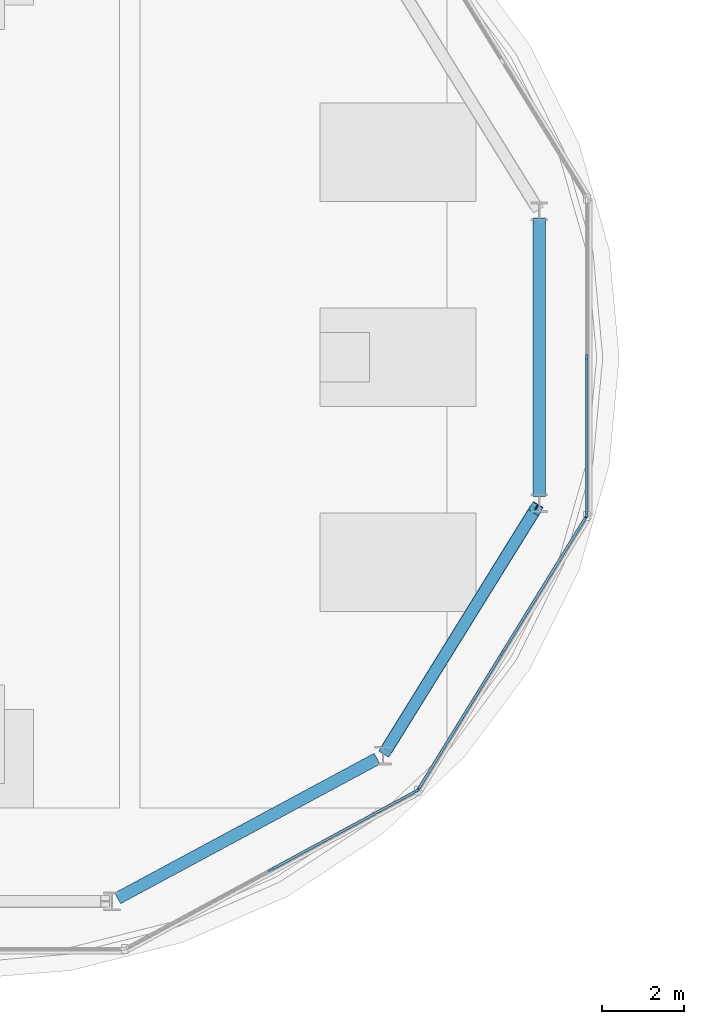
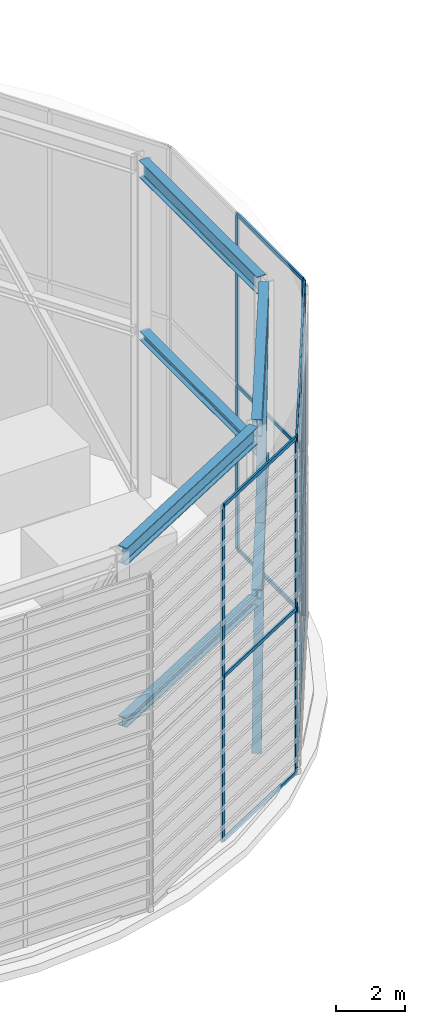
# One storey, part 4 of 17: 20 members, 6 beams, 3 elements without a shape of their own.
"""IFC4 building model written with IfcOpenShell, lengths in metres."""

from ifc_helpers import new_model, si_unit, direction, frame, origin, origin_2d, place, context, subcontext, project, spatial, rectangle, i_section, extrude, source, transform, mapped, material, layer, layer_set, material_profile, profile_set, type_object, type_shapes, element, aggregate, save


model = new_model("IFC4")

# Units and contexts
model_context = context("Model", 3, precision=1e-05, world=origin(), true_north=direction((0.0, 1.0)))
body_context = subcontext(model_context, "Body", "Model", "MODEL_VIEW")
ifc_project = project(units=[si_unit("LENGTHUNIT", "METRE"), si_unit("AREAUNIT", "SQUARE_METRE"), si_unit("VOLUMEUNIT", "CUBIC_METRE"), si_unit("PLANEANGLEUNIT", "RADIAN"), si_unit("MASSUNIT", "GRAM", prefix="KILO")], contexts=[model_context])

# Site, building, storey
site_placement = place(None, origin())
site = spatial("IfcSite", under=ifc_project, at=site_placement, CompositionType="ELEMENT")
building_placement = place(site_placement, origin())
building = spatial("IfcBuilding", under=site, at=building_placement, Name="Norrkilde Senior Care Towers", CompositionType="ELEMENT")
storey_placement = place(building_placement, frame((0.0, 0.0, 249.85009765625)))
storey = spatial("IfcBuildingStorey", under=building, at=storey_placement, Name="RF", CompositionType="ELEMENT", Elevation=249.85009765625)

# Beams
ifc_material_1 = material(Name="Steel S355", Category="steel")
ifc_material_profile_1 = material_profile(ifc_material_1, i_section(OverallWidth=0.300048828125, OverallDepth=0.60009765625, WebThickness=0.015380859375, FlangeThickness=0.030029296875, FilletRadius=0.027099609375, at=origin_2d()), Name="HEB 600")
ifc_profile_set_1 = profile_set([ifc_material_profile_1], Name="Steel S355")
beam_type_1 = type_object("IfcBeamType", Name="Crown Ring Top Girder CROWN FRAME", PredefinedType="USERDEFINED", material=ifc_profile_set_1)
shared_shape_1 = source(origin(), body_context, "Body", "SweptSolid", [
    extrude(i_section(OverallWidth=0.300048828125, OverallDepth=0.60009765625, WebThickness=0.015380859375, FlangeThickness=0.030029296875, FilletRadius=0.027099609375, at=origin_2d()), origin(), (0.0, 0.0, 1.0), 6.93017578125),
])
beam_1_placement = place(storey_placement, frame((-17.48583984375, -9.586669921875, 11.809814453125), z_axis=(0.526520754643, 0.850162275645, 0.0), x_axis=(-0.850162275645, 0.526520754643, 0.0)))
element("IfcBeam", 1, at=beam_1_placement, inside=storey, type_object=beam_type_1, Name="RF Drum W Crown Ring Top Girder 11 CROWN FRAME", ObjectType="GIRDER", PredefinedType="USERDEFINED", context=body_context, shape_type="MappedRepresentation", body=[
    mapped(shared_shape_1, transform((0.0, 0.0, 0.0), x_axis=(1.0, 0.0, 0.0), y_axis=(0.0, 1.0, 0.0), z_axis=(0.0, 0.0, 1.0), scale=1.0)),
])
ifc_material_profile_2 = material_profile(ifc_material_1, i_section(OverallWidth=0.300048828125, OverallDepth=0.320068359375, WebThickness=0.011474609375, FlangeThickness=0.0205078125, FilletRadius=0.027099609375, at=origin_2d()), Name="HEB 320")
ifc_profile_set_2 = profile_set([ifc_material_profile_2], Name="Steel S355")
beam_type_2 = type_object("IfcBeamType", Name="Crown Ring Mid Spandrel CROWN FRAME", PredefinedType="SPANDREL", material=ifc_profile_set_2)
shared_shape_2 = source(origin(), body_context, "Body", "SweptSolid", [
    extrude(i_section(OverallWidth=0.300048828125, OverallDepth=0.320068359375, WebThickness=0.011474609375, FlangeThickness=0.0205078125, FilletRadius=0.027099609375, at=origin_2d()), origin(), (0.0, 0.0, 1.0), 6.93017578125),
])
beam_2_placement = place(storey_placement, frame((-17.48583984375, -9.586669921875, 5.949951171875), z_axis=(0.526520754643, 0.850162275645, 0.0), x_axis=(-0.850162275645, 0.526520754643, 0.0)))
element("IfcBeam", 2, at=beam_2_placement, inside=storey, type_object=beam_type_2, Name="RF Drum W Crown Ring Mid Spandrel 11 CROWN FRAME", PredefinedType="SPANDREL", context=body_context, shape_type="MappedRepresentation", body=[
    mapped(shared_shape_2, transform((0.0, 0.0, 0.0), x_axis=(1.0, 0.0, 0.0), y_axis=(0.0, 1.0, 0.0), z_axis=(0.0, 0.0, 1.0), scale=1.0)),
])

# Member
ifc_material_profile_3 = material_profile(ifc_material_1, i_section(OverallWidth=0.280029296875, OverallDepth=0.280029296875, WebThickness=0.010498046875, FlangeThickness=0.01806640625, FilletRadius=0.02392578125, at=origin_2d()), Name="HEB 280")
ifc_profile_set_3 = profile_set([ifc_material_profile_3], Name="Steel S355")
member_type_1 = type_object("IfcMemberType", Name="Crown Frame Brace CROWN FRAME", PredefinedType="BRACE", material=ifc_profile_set_3)
shared_shape_3 = source(origin(), body_context, "Body", "SweptSolid", [
    extrude(i_section(OverallWidth=0.280029296875, OverallDepth=0.280029296875, WebThickness=0.010498046875, FlangeThickness=0.01806640625, FilletRadius=0.02392578125, at=origin_2d()), origin(), (0.0, 0.0, 1.0), 13.264404296875),
])
type_shapes(member_type_1, [shared_shape_3])
member_1_placement = place(storey_placement, frame((-17.48583984375, -9.586669921875, 0.349853515625), z_axis=(0.275090388538, 0.444182814571, 0.852658727378), x_axis=(-0.850162275645, 0.526520754643, 0.0)))
element("IfcMember", 3, at=member_1_placement, inside=storey, type_object=member_type_1, Name="RF Drum W Crown Ring Brace 11 CROWN FRAME", PredefinedType="BRACE", context=body_context, shape_type="MappedRepresentation", body=[
    mapped(shared_shape_3, transform((0.0, 0.0, 0.0), x_axis=(1.0, 0.0, 0.0), y_axis=(0.0, 1.0, 0.0), z_axis=(0.0, 0.0, 1.0), scale=1.0)),
])

# Beams
shared_shape_4 = source(origin(), body_context, "Body", "SweptSolid", [
    extrude(i_section(OverallWidth=0.300048828125, OverallDepth=0.60009765625, WebThickness=0.015380859375, FlangeThickness=0.030029296875, FilletRadius=0.027099609375, at=origin_2d()), origin(), (0.0, 0.0, 1.0), 7.18896484375),
])
beam_3_placement = place(storey_placement, frame((-24.04150390625, -13.20556640625, 11.809814453125), z_axis=(0.880567044237, 0.473921597529, 0.0), x_axis=(-0.473921597529, 0.880567044237, 0.0)))
element("IfcBeam", 4, at=beam_3_placement, inside=storey, type_object=beam_type_1, Name="RF Drum W Crown Ring Top Girder 10 CROWN FRAME", ObjectType="GIRDER", PredefinedType="USERDEFINED", context=body_context, shape_type="MappedRepresentation", body=[
    mapped(shared_shape_4, transform((0.0, 0.0, 0.0), x_axis=(1.0, 0.0, 0.0), y_axis=(0.0, 1.0, 0.0), z_axis=(0.0, 0.0, 1.0), scale=1.0)),
])
shared_shape_5 = source(origin(), body_context, "Body", "SweptSolid", [
    extrude(i_section(OverallWidth=0.300048828125, OverallDepth=0.320068359375, WebThickness=0.011474609375, FlangeThickness=0.0205078125, FilletRadius=0.027099609375, at=origin_2d()), origin(), (0.0, 0.0, 1.0), 7.18896484375),
])
beam_4_placement = place(storey_placement, frame((-24.04150390625, -13.20556640625, 5.949951171875), z_axis=(0.880567044237, 0.473921597529, 0.0), x_axis=(-0.473921597529, 0.880567044237, 0.0)))
element("IfcBeam", 5, at=beam_4_placement, inside=storey, type_object=beam_type_2, Name="RF Drum W Crown Ring Mid Spandrel 10 CROWN FRAME", PredefinedType="SPANDREL", context=body_context, shape_type="MappedRepresentation", body=[
    mapped(shared_shape_5, transform((0.0, 0.0, 0.0), x_axis=(1.0, 0.0, 0.0), y_axis=(0.0, 1.0, 0.0), z_axis=(0.0, 0.0, 1.0), scale=1.0)),
])
shared_shape_6 = source(origin(), body_context, "Body", "SweptSolid", [
    extrude(i_section(OverallWidth=0.300048828125, OverallDepth=0.60009765625, WebThickness=0.015380859375, FlangeThickness=0.030029296875, FilletRadius=0.027099609375, at=origin_2d()), origin(), (0.0, 0.0, 1.0), 6.79736328125),
])
type_shapes(beam_type_1, [shared_shape_1, shared_shape_4, shared_shape_6])
beam_5_placement = place(storey_placement, frame((-13.752685546875, -3.398681640625, 11.809814453125), z_axis=(0.0, 1.0, 0.0), x_axis=(-1.0, 0.0, 0.0)))
element("IfcBeam", 6, at=beam_5_placement, inside=storey, type_object=beam_type_1, Name="RF Drum W Crown Ring Top Girder 12 CROWN FRAME", ObjectType="GIRDER", PredefinedType="USERDEFINED", context=body_context, shape_type="MappedRepresentation", body=[
    mapped(shared_shape_6, transform((0.0, 0.0, 0.0), x_axis=(1.0, 0.0, 0.0), y_axis=(0.0, 1.0, 0.0), z_axis=(0.0, 0.0, 1.0), scale=1.0)),
])
shared_shape_7 = source(origin(), body_context, "Body", "SweptSolid", [
    extrude(i_section(OverallWidth=0.300048828125, OverallDepth=0.320068359375, WebThickness=0.011474609375, FlangeThickness=0.0205078125, FilletRadius=0.027099609375, at=origin_2d()), origin(), (0.0, 0.0, 1.0), 6.79736328125),
])
type_shapes(beam_type_2, [shared_shape_2, shared_shape_5, shared_shape_7])
beam_6_placement = place(storey_placement, frame((-13.752685546875, -3.398681640625, 5.949951171875), z_axis=(0.0, 1.0, 0.0), x_axis=(-1.0, 0.0, 0.0)))
element("IfcBeam", 7, at=beam_6_placement, inside=storey, type_object=beam_type_2, Name="RF Drum W Crown Ring Mid Spandrel 12 CROWN FRAME", PredefinedType="SPANDREL", context=body_context, shape_type="MappedRepresentation", body=[
    mapped(shared_shape_7, transform((0.0, 0.0, 0.0), x_axis=(1.0, 0.0, 0.0), y_axis=(0.0, 1.0, 0.0), z_axis=(0.0, 0.0, 1.0), scale=1.0)),
])

# Curtain wall, members
ifc_material_2 = material(Name="Triple Low-E Insulated Glazing", Category="glass")
ifc_layer = layer(ifc_material_2, 0.205078125)
ifc_layer_set = layer_set([ifc_layer], Name="Triple Low-E Insulated Glazing")
curtain_wall_type = type_object("IfcCurtainWallType", Name="CW7 L76 Damper Lantern Clear Curtain Wall", PredefinedType="NOTDEFINED", material=ifc_layer_set)
curtain_wall_1_placement = place(storey_placement, origin())
curtain_wall_1 = element("IfcCurtainWall", 8, at=curtain_wall_1_placement, inside=storey, type_object=curtain_wall_type, Name="RF Ring Crown W Screen Wall 09", PredefinedType="NOTDEFINED")
ifc_material_3 = material(Name="Anodised Aluminium", Category="aluminium")
ifc_material_profile_4 = material_profile(ifc_material_3, rectangle(XDim=0.06005859375, YDim=0.139892578125, at=origin_2d()), Name="ALU MULL 60x140")
ifc_profile_set_4 = profile_set([ifc_material_profile_4], Name="Anodised Aluminium")
member_type_2 = type_object("IfcMemberType", Name="Curtain Wall Mullion Lantern 60x140", PredefinedType="MULLION", material=ifc_profile_set_4)
shared_shape_8 = source(origin(), body_context, "Body", "SweptSolid", [
    extrude(rectangle(XDim=0.06005859375, YDim=0.139892578125, at=origin_2d()), origin(), (0.0, 0.0, 1.0), 11.849853515625),
])
type_shapes(member_type_2, [shared_shape_8])
member_2_placement = place(storey_placement, frame((-16.748046875, -10.58544921875, 0.0), z_axis=(0.0, 0.0, 1.0), x_axis=(0.475933713829, -0.879481153886, 0.0)))
member_2 = element("IfcMember", 9, at=member_2_placement, type_object=member_type_2, Name="CW-7 mullion 1", PredefinedType="MULLION", context=body_context, shape_type="MappedRepresentation", body=[
    mapped(shared_shape_8, transform((0.0, 0.0, 0.0), x_axis=(1.0, 0.0, 0.0), y_axis=(0.0, 1.0, 0.0), z_axis=(0.0, 0.0, 1.0), scale=1.0)),
])
member_3_placement = place(storey_placement, frame((-20.296630859375, -12.505859375, 0.0), z_axis=(0.0, 0.0, 1.0), x_axis=(0.475933713829, -0.879481153886, 0.0)))
member_3 = element("IfcMember", 10, at=member_3_placement, type_object=member_type_2, Name="CW-7 mullion 2", PredefinedType="MULLION", context=body_context, shape_type="MappedRepresentation", body=[
    mapped(shared_shape_8, transform((0.0, 0.0, 0.0), x_axis=(1.0, 0.0, 0.0), y_axis=(0.0, 1.0, 0.0), z_axis=(0.0, 0.0, 1.0), scale=1.0)),
])

curtain_wall_2_placement = place(storey_placement, origin())
curtain_wall_2 = element("IfcCurtainWall", 11, at=curtain_wall_2_placement, inside=storey, type_object=curtain_wall_type, Name="RF Ring Crown W Screen Wall 10", PredefinedType="NOTDEFINED")
member_4_placement = place(storey_placement, frame((-12.609130859375, -3.894775390625, 0.0), z_axis=(0.0, 0.0, 1.0), x_axis=(0.85143610846, -0.524458342684, 0.0)))
member_4 = element("IfcMember", 12, at=member_4_placement, type_object=member_type_2, Name="CW-7 mullion 1", PredefinedType="MULLION", context=body_context, shape_type="MappedRepresentation", body=[
    mapped(shared_shape_8, transform((0.0, 0.0, 0.0), x_axis=(1.0, 0.0, 0.0), y_axis=(0.0, 1.0, 0.0), z_axis=(0.0, 0.0, 1.0), scale=1.0)),
])
member_5_placement = place(storey_placement, frame((-14.657470703125, -7.22021484375, 0.0), z_axis=(0.0, 0.0, 1.0), x_axis=(0.85143610846, -0.524458342684, 0.0)))
member_5 = element("IfcMember", 13, at=member_5_placement, type_object=member_type_2, Name="CW-7 mullion 2", PredefinedType="MULLION", context=body_context, shape_type="MappedRepresentation", body=[
    mapped(shared_shape_8, transform((0.0, 0.0, 0.0), x_axis=(1.0, 0.0, 0.0), y_axis=(0.0, 1.0, 0.0), z_axis=(0.0, 0.0, 1.0), scale=1.0)),
])
member_6_placement = place(storey_placement, frame((-16.705810546875, -10.545654296875, 0.0), z_axis=(0.0, 0.0, 1.0), x_axis=(0.85143610846, -0.524458342684, 0.0)))
member_6 = element("IfcMember", 14, at=member_6_placement, type_object=member_type_2, Name="CW-7 mullion 3", PredefinedType="MULLION", context=body_context, shape_type="MappedRepresentation", body=[
    mapped(shared_shape_8, transform((0.0, 0.0, 0.0), x_axis=(1.0, 0.0, 0.0), y_axis=(0.0, 1.0, 0.0), z_axis=(0.0, 0.0, 1.0), scale=1.0)),
])

curtain_wall_3_placement = place(storey_placement, origin())
curtain_wall_3 = element("IfcCurtainWall", 15, at=curtain_wall_3_placement, inside=storey, type_object=curtain_wall_type, Name="RF Ring Crown W Screen Wall 11", PredefinedType="NOTDEFINED")
member_7_placement = place(storey_placement, frame((-12.593505859375, 0.0, 0.0), z_axis=(0.0, 0.0, 1.0), x_axis=(1.0, 0.0, 0.0)))
member_7 = element("IfcMember", 16, at=member_7_placement, type_object=member_type_2, Name="CW-7 mullion 2", PredefinedType="MULLION", context=body_context, shape_type="MappedRepresentation", body=[
    mapped(shared_shape_8, transform((0.0, 0.0, 0.0), x_axis=(1.0, 0.0, 0.0), y_axis=(0.0, 1.0, 0.0), z_axis=(0.0, 0.0, 1.0), scale=1.0)),
])
member_8_placement = place(storey_placement, frame((-12.593505859375, -3.83935546875, 0.0), z_axis=(0.0, 0.0, 1.0), x_axis=(1.0, 0.0, 0.0)))
member_8 = element("IfcMember", 17, at=member_8_placement, type_object=member_type_2, Name="CW-7 mullion 3", PredefinedType="MULLION", context=body_context, shape_type="MappedRepresentation", body=[
    mapped(shared_shape_8, transform((0.0, 0.0, 0.0), x_axis=(1.0, 0.0, 0.0), y_axis=(0.0, 1.0, 0.0), z_axis=(0.0, 0.0, 1.0), scale=1.0)),
])

# Member
ifc_material_profile_5 = material_profile(ifc_material_3, rectangle(XDim=0.06494140625, YDim=0.1298828125, at=origin_2d()), Name="ALU TRAN 65x130")
ifc_profile_set_5 = profile_set([ifc_material_profile_5], Name="Anodised Aluminium")
member_type_3 = type_object("IfcMemberType", Name="Curtain Wall Transom Heavy 65x130", PredefinedType="USERDEFINED", material=ifc_profile_set_5)
shared_shape_9 = source(origin(), body_context, "Body", "SweptSolid", [
    extrude(rectangle(XDim=0.06494140625, YDim=0.1298828125, at=origin_2d()), origin(), (0.0, 0.0, 1.0), 3.845703125),
])
member_9_placement = place(storey_placement, frame((-12.625, -3.92041015625, 0.032470703125), z_axis=(-0.524440959275, -0.851446815858, 0.0), x_axis=(0.851446815858, -0.524440959275, 0.0)))
member_9 = element("IfcMember", 18, at=member_9_placement, type_object=member_type_3, Name="CW-7 transom 1.1", ObjectType="TRANSOM", PredefinedType="USERDEFINED", context=body_context, shape_type="MappedRepresentation", body=[
    mapped(shared_shape_9, transform((0.0, 0.0, 0.0), x_axis=(1.0, 0.0, 0.0), y_axis=(0.0, 1.0, 0.0), z_axis=(0.0, 0.0, 1.0), scale=1.0)),
])

member_10_placement = place(storey_placement, frame((-12.625, -3.92041015625, 5.7998046875), z_axis=(-0.524440959275, -0.851446815858, 0.0), x_axis=(0.851446815858, -0.524440959275, 0.0)))
member_10 = element("IfcMember", 19, at=member_10_placement, type_object=member_type_3, Name="CW-7 transom 1.2", ObjectType="TRANSOM", PredefinedType="USERDEFINED", context=body_context, shape_type="MappedRepresentation", body=[
    mapped(shared_shape_9, transform((0.0, 0.0, 0.0), x_axis=(1.0, 0.0, 0.0), y_axis=(0.0, 1.0, 0.0), z_axis=(0.0, 0.0, 1.0), scale=1.0)),
])

member_11_placement = place(storey_placement, frame((-12.625, -3.92041015625, 11.8173828125), z_axis=(-0.524440959275, -0.851446815858, 0.0), x_axis=(0.851446815858, -0.524440959275, 0.0)))
member_11 = element("IfcMember", 20, at=member_11_placement, type_object=member_type_3, Name="CW-7 transom 1.3", ObjectType="TRANSOM", PredefinedType="USERDEFINED", context=body_context, shape_type="MappedRepresentation", body=[
    mapped(shared_shape_9, transform((0.0, 0.0, 0.0), x_axis=(1.0, 0.0, 0.0), y_axis=(0.0, 1.0, 0.0), z_axis=(0.0, 0.0, 1.0), scale=1.0)),
])

member_12_placement = place(storey_placement, frame((-14.67333984375, -7.245849609375, 0.032470703125), z_axis=(-0.524440959275, -0.851446815858, 0.0), x_axis=(0.851446815858, -0.524440959275, 0.0)))
member_12 = element("IfcMember", 21, at=member_12_placement, type_object=member_type_3, Name="CW-7 transom 2.1", ObjectType="TRANSOM", PredefinedType="USERDEFINED", context=body_context, shape_type="MappedRepresentation", body=[
    mapped(shared_shape_9, transform((0.0, 0.0, 0.0), x_axis=(1.0, 0.0, 0.0), y_axis=(0.0, 1.0, 0.0), z_axis=(0.0, 0.0, 1.0), scale=1.0)),
])

member_13_placement = place(storey_placement, frame((-14.67333984375, -7.245849609375, 5.7998046875), z_axis=(-0.524440959275, -0.851446815858, 0.0), x_axis=(0.851446815858, -0.524440959275, 0.0)))
member_13 = element("IfcMember", 22, at=member_13_placement, type_object=member_type_3, Name="CW-7 transom 2.2", ObjectType="TRANSOM", PredefinedType="USERDEFINED", context=body_context, shape_type="MappedRepresentation", body=[
    mapped(shared_shape_9, transform((0.0, 0.0, 0.0), x_axis=(1.0, 0.0, 0.0), y_axis=(0.0, 1.0, 0.0), z_axis=(0.0, 0.0, 1.0), scale=1.0)),
])

member_14_placement = place(storey_placement, frame((-14.67333984375, -7.245849609375, 11.8173828125), z_axis=(-0.524440959275, -0.851446815858, 0.0), x_axis=(0.851446815858, -0.524440959275, 0.0)))
member_14 = element("IfcMember", 23, at=member_14_placement, type_object=member_type_3, Name="CW-7 transom 2.3", ObjectType="TRANSOM", PredefinedType="USERDEFINED", context=body_context, shape_type="MappedRepresentation", body=[
    mapped(shared_shape_9, transform((0.0, 0.0, 0.0), x_axis=(1.0, 0.0, 0.0), y_axis=(0.0, 1.0, 0.0), z_axis=(0.0, 0.0, 1.0), scale=1.0)),
])

aggregate(curtain_wall_2, [member_4, member_5, member_6, member_9, member_10, member_11, member_12, member_13, member_14])

shared_shape_10 = source(origin(), body_context, "Body", "SweptSolid", [
    extrude(rectangle(XDim=0.06494140625, YDim=0.1298828125, at=origin_2d()), origin(), (0.0, 0.0, 1.0), 3.974853515625),
])
member_15_placement = place(storey_placement, frame((-16.7744140625, -10.599853515625, 0.032470703125), z_axis=(-0.879475172581, -0.475944766557, 0.0), x_axis=(0.475944766557, -0.879475172581, 0.0)))
member_15 = element("IfcMember", 24, at=member_15_placement, type_object=member_type_3, Name="CW-7 transom 1.1", ObjectType="TRANSOM", PredefinedType="USERDEFINED", context=body_context, shape_type="MappedRepresentation", body=[
    mapped(shared_shape_10, transform((0.0, 0.0, 0.0), x_axis=(1.0, 0.0, 0.0), y_axis=(0.0, 1.0, 0.0), z_axis=(0.0, 0.0, 1.0), scale=1.0)),
])

member_16_placement = place(storey_placement, frame((-16.7744140625, -10.599853515625, 5.7998046875), z_axis=(-0.879475172581, -0.475944766557, 0.0), x_axis=(0.475944766557, -0.879475172581, 0.0)))
member_16 = element("IfcMember", 25, at=member_16_placement, type_object=member_type_3, Name="CW-7 transom 1.2", ObjectType="TRANSOM", PredefinedType="USERDEFINED", context=body_context, shape_type="MappedRepresentation", body=[
    mapped(shared_shape_10, transform((0.0, 0.0, 0.0), x_axis=(1.0, 0.0, 0.0), y_axis=(0.0, 1.0, 0.0), z_axis=(0.0, 0.0, 1.0), scale=1.0)),
])

member_17_placement = place(storey_placement, frame((-16.7744140625, -10.599853515625, 11.8173828125), z_axis=(-0.879475172581, -0.475944766557, 0.0), x_axis=(0.475944766557, -0.879475172581, 0.0)))
member_17 = element("IfcMember", 26, at=member_17_placement, type_object=member_type_3, Name="CW-7 transom 1.3", ObjectType="TRANSOM", PredefinedType="USERDEFINED", context=body_context, shape_type="MappedRepresentation", body=[
    mapped(shared_shape_10, transform((0.0, 0.0, 0.0), x_axis=(1.0, 0.0, 0.0), y_axis=(0.0, 1.0, 0.0), z_axis=(0.0, 0.0, 1.0), scale=1.0)),
])

aggregate(curtain_wall_1, [member_2, member_3, member_15, member_16, member_17])

shared_shape_11 = source(origin(), body_context, "Body", "SweptSolid", [
    extrude(rectangle(XDim=0.06494140625, YDim=0.1298828125, at=origin_2d()), origin(), (0.0, 0.0, 1.0), 3.779296875),
])
type_shapes(member_type_3, [shared_shape_9, shared_shape_10, shared_shape_11])
member_18_placement = place(storey_placement, frame((-12.593505859375, -0.030029296875, 0.032470703125), z_axis=(0.0, -1.0, 0.0), x_axis=(1.0, 0.0, 0.0)))
member_18 = element("IfcMember", 27, at=member_18_placement, type_object=member_type_3, Name="CW-7 transom 2.1", ObjectType="TRANSOM", PredefinedType="USERDEFINED", context=body_context, shape_type="MappedRepresentation", body=[
    mapped(shared_shape_11, transform((0.0, 0.0, 0.0), x_axis=(1.0, 0.0, 0.0), y_axis=(0.0, 1.0, 0.0), z_axis=(0.0, 0.0, 1.0), scale=1.0)),
])

member_19_placement = place(storey_placement, frame((-12.593505859375, -0.030029296875, 5.7998046875), z_axis=(0.0, -1.0, 0.0), x_axis=(1.0, 0.0, 0.0)))
member_19 = element("IfcMember", 28, at=member_19_placement, type_object=member_type_3, Name="CW-7 transom 2.2", ObjectType="TRANSOM", PredefinedType="USERDEFINED", context=body_context, shape_type="MappedRepresentation", body=[
    mapped(shared_shape_11, transform((0.0, 0.0, 0.0), x_axis=(1.0, 0.0, 0.0), y_axis=(0.0, 1.0, 0.0), z_axis=(0.0, 0.0, 1.0), scale=1.0)),
])

member_20_placement = place(storey_placement, frame((-12.593505859375, -0.030029296875, 11.8173828125), z_axis=(0.0, -1.0, 0.0), x_axis=(1.0, 0.0, 0.0)))
member_20 = element("IfcMember", 29, at=member_20_placement, type_object=member_type_3, Name="CW-7 transom 2.3", ObjectType="TRANSOM", PredefinedType="USERDEFINED", context=body_context, shape_type="MappedRepresentation", body=[
    mapped(shared_shape_11, transform((0.0, 0.0, 0.0), x_axis=(1.0, 0.0, 0.0), y_axis=(0.0, 1.0, 0.0), z_axis=(0.0, 0.0, 1.0), scale=1.0)),
])

aggregate(curtain_wall_3, [member_7, member_8, member_18, member_19, member_20])

save(model, "model.ifc")
